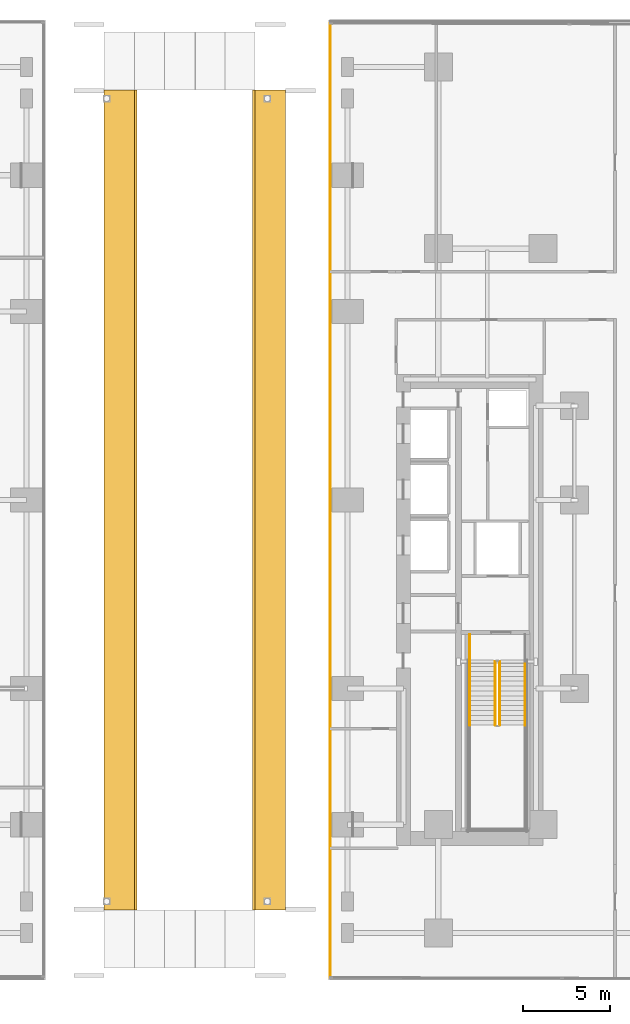
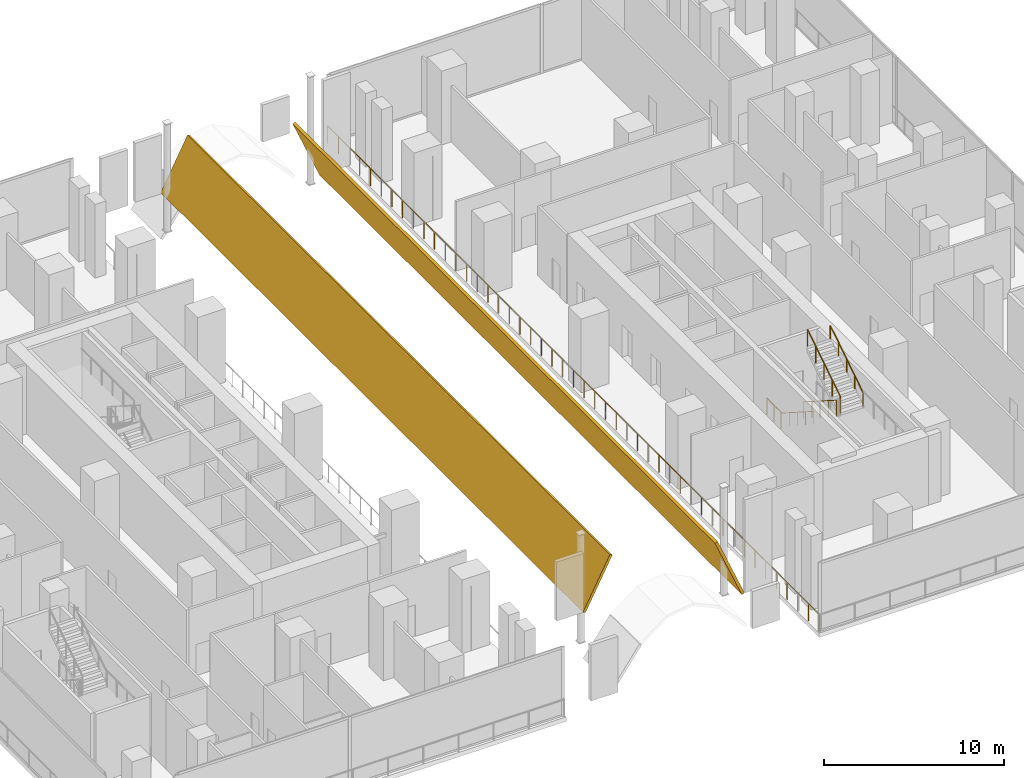
# One storey, part 26 of 31: 6 railings, 2 coverings.
"""IFC4 building model written with IfcOpenShell, lengths in metres."""

import ifcopenshell
import ifcopenshell.guid

model = None  # the IFC model being written
_history = None  # IfcOwnerHistory: only IFC2X3 demands one
_inside = {}  # id of a spatial element -> (the spatial element, [elements in it])
_under = {}  # id of a project, library or spatial element -> (it, [spatial elements below it])
_declared = {}  # id of a project -> (the project, [libraries it declares])
_typed = {}  # id of a type object -> (the type object, [elements of that type])
_made_of = {}  # id of a material, layer set ... -> (it, [elements and type objects made of it])


def new_model(schema):
    """Start an empty IFC model of exactly this schema.

    Asked for "IFC4X3", IfcOpenShell would pick the latest addendum, in which some entities
    have other attributes; the version numbers below select the first issue.
    IFC2X3 requires an IfcOwnerHistory on every rooted entity: one is made here for all.
    """
    global model, _history
    if schema == "IFC4X3":
        model = ifcopenshell.file(schema_version=(4, 3, 0, 0))
    else:
        model = ifcopenshell.file(schema=schema)
    _inside.clear()
    _under.clear()
    _declared.clear()
    _typed.clear()
    _made_of.clear()
    _history = None
    if model.schema == "IFC2X3":
        org = make("IfcOrganization", Name="unknown")
        user = make(
            "IfcPersonAndOrganization",
            ThePerson=make("IfcPerson", FamilyName="unknown"),
            TheOrganization=org,
        )
        app = make(
            "IfcApplication",
            ApplicationDeveloper=org,
            Version="unknown",
            ApplicationFullName="unknown",
            ApplicationIdentifier="unknown",
        )
        _history = make(
            "IfcOwnerHistory",
            OwningUser=user,
            OwningApplication=app,
            ChangeAction="ADDED",
            CreationDate=0,
        )
    return model


def make(cls, **values):
    """One entity of the class cls with the attributes given. An attribute that is None is left unset."""
    return model.create_entity(
        cls, **{name: value for name, value in values.items() if value is not None}
    )


def rooted(cls, **values):
    """An entity with a GlobalId (a new one), such as an element, a storey or a relation."""
    return make(cls, GlobalId=ifcopenshell.guid.new(), OwnerHistory=_history, **values)


def si_unit(unit_type, name, prefix=None):
    """IfcSIUnit, for example si_unit("LENGTHUNIT", "METRE", prefix="MILLI")."""
    return make("IfcSIUnit", UnitType=unit_type, Prefix=prefix, Name=name)


def assignment(units):
    """IfcUnitAssignment: the units of a project."""
    return None if units is None else make("IfcUnitAssignment", Units=units)


def point(xyz):
    """IfcCartesianPoint."""
    return None if xyz is None else make("IfcCartesianPoint", Coordinates=xyz)


def direction(xyz):
    """IfcDirection."""
    return None if xyz is None else make("IfcDirection", DirectionRatios=xyz)


def frame(location, z_axis=None, x_axis=None):
    """IfcAxis2Placement3D, a coordinate frame: its origin and axes. An axis left out is left unset."""
    return make(
        "IfcAxis2Placement3D",
        Location=point(location),
        Axis=direction(z_axis),
        RefDirection=direction(x_axis),
    )


def frame_2d(location, x_axis=None):
    """IfcAxis2Placement2D, a coordinate frame in the plane: its origin and x axis."""
    return make(
        "IfcAxis2Placement2D", Location=point(location), RefDirection=direction(x_axis)
    )


def origin():
    """The frame at (0, 0, 0) with its axes left unset."""
    return frame((0.0, 0.0, 0.0))


def origin_2d():
    """The frame at (0, 0) in the plane with its x axis left unset."""
    return frame_2d((0.0, 0.0))


def place(relative_to, where):
    """IfcLocalPlacement: puts the frame where relative to a parent placement (None: the world)."""
    return make(
        "IfcLocalPlacement", PlacementRelTo=relative_to, RelativePlacement=where
    )


def context(
    kind, dimensions, precision=None, world=None, true_north=None, identifier=None
):
    """IfcGeometricRepresentationContext, for example the 3D "Model" context."""
    return make(
        "IfcGeometricRepresentationContext",
        ContextIdentifier=identifier,
        ContextType=kind,
        CoordinateSpaceDimension=dimensions,
        Precision=precision,
        WorldCoordinateSystem=world,
        TrueNorth=true_north,
    )


def subcontext(parent, identifier, kind, view, scale=None):
    """IfcGeometricRepresentationSubContext, for example "Body" below "Model"."""
    return make(
        "IfcGeometricRepresentationSubContext",
        ContextIdentifier=identifier,
        ContextType=kind,
        ParentContext=parent,
        TargetScale=scale,
        TargetView=view,
    )


def project(units=None, contexts=None):
    """IfcProject with its units and contexts."""
    return rooted(
        "IfcProject",
        Name="project",
        RepresentationContexts=contexts,
        UnitsInContext=assignment(units),
    )


def spatial(cls, under=None, at=None, **own):
    """A site, building, storey or space (cls), placed at a placement, below another one or the project."""
    s = rooted(cls, ObjectPlacement=at, **own)
    if under is not None:
        _under.setdefault(under.id(), (under, []))[1].append(s)
    return s


def polyline(points):
    """IfcPolyline through the points."""
    return make("IfcPolyline", Points=[point(p) for p in points])


def profile(cls, at=None, kind="AREA", **sizes):
    """A parametric profile (cls). Its sizes go by their IFC names, for example OverallWidth=200.0."""
    return make(cls, ProfileType=kind, Position=at, **sizes)


def circle(**sizes):
    """IfcCircleProfileDef."""
    return profile("IfcCircleProfileDef", **sizes)


def outline(outer, holes=None, kind="AREA"):
    """IfcArbitraryClosedProfileDef: a profile drawn as a closed curve; with holes, ...WithVoids."""
    if holes is None:
        return make("IfcArbitraryClosedProfileDef", ProfileType=kind, OuterCurve=outer)
    return make(
        "IfcArbitraryProfileDefWithVoids",
        ProfileType=kind,
        OuterCurve=outer,
        InnerCurves=holes,
    )


def extrude(swept, where, along, depth):
    """IfcExtrudedAreaSolid: the profile swept, set in the frame where, extruded along a direction by depth."""
    return make(
        "IfcExtrudedAreaSolid",
        SweptArea=swept,
        Position=where,
        ExtrudedDirection=direction(along),
        Depth=depth,
    )


def shape(context_of_items, identifier, shape_type, items):
    """IfcShapeRepresentation: the items that make up one representation, for example the "Body"."""
    return make(
        "IfcShapeRepresentation",
        ContextOfItems=context_of_items,
        RepresentationIdentifier=identifier,
        RepresentationType=shape_type,
        Items=items,
    )


def material(Name=None, Category=None):
    """IfcMaterial."""
    return make("IfcMaterial", Name=Name, Category=Category)


def layer(
    of_material, thickness, ventilated=None, Name=None, Category=None, Priority=None
):
    """IfcMaterialLayer: one layer of a wall or slab, of a material (None: an air gap)."""
    return make(
        "IfcMaterialLayer",
        Material=of_material,
        LayerThickness=thickness,
        IsVentilated=ventilated,
        Name=Name,
        Category=Category,
        Priority=Priority,
    )


def layer_set(layers, Name=None):
    """IfcMaterialLayerSet."""
    return make("IfcMaterialLayerSet", MaterialLayers=layers, LayerSetName=Name)


def made_of(thing, what):
    """Note that an element or type object is made of a material, layer set ...; save() writes the relation."""
    if what is not None:
        _made_of.setdefault(what.id(), (what, []))[1].append(thing)
    return thing


def type_object(cls, material=None, **own):
    """A type object (cls), such as IfcWallType, which elements share."""
    return made_of(rooted(cls, **own), material)


def element(
    cls,
    number,
    at=None,
    inside=None,
    cuts=None,
    type_object=None,
    material=None,
    context=None,
    identifier="Body",
    shape_type=None,
    held_by="IfcProductDefinitionShape",
    body=None,
    shapes=None,
    **own,
):
    """One element of the class cls, such as IfcWall. Its Tag is "e" and its number.

    at: its placement. inside: the storey or other place that contains it. cuts: it is an
    opening in that element (IfcRelVoidsElement). A single representation is given by context,
    identifier, shape_type and body (its items); several are given by shapes. held_by: the class
    of the entity that holds the representations. save() writes the other relations.
    """
    e = rooted(cls, Tag="e%d" % number, ObjectPlacement=at, **own)
    if body is not None:
        shapes = [shape(context, identifier, shape_type, body)]
    if shapes is not None:
        e.Representation = make(held_by, Representations=shapes)
    if inside is not None:
        _inside.setdefault(inside.id(), (inside, []))[1].append(e)
    if cuts is not None:
        rooted(
            "IfcRelVoidsElement", RelatingBuildingElement=cuts, RelatedOpeningElement=e
        )
    if type_object is not None:
        _typed.setdefault(type_object.id(), (type_object, []))[1].append(e)
    return made_of(e, material)


def aggregate(whole, parts):
    """IfcRelAggregates: a whole, such as a stair, and the parts it consists of."""
    return rooted("IfcRelAggregates", RelatingObject=whole, RelatedObjects=parts)


def save(model, path):
    """Write the relations noted so far, then the file.

    IfcRelAggregates (storeys below a building ...), IfcRelContainedInSpatialStructure (elements
    in a storey), IfcRelDefinesByType, IfcRelAssociatesMaterial and IfcRelDeclares: one each for
    every whole, place, type object, material and project.
    """
    for whole, parts in _under.values():
        aggregate(whole, parts)
    for where, things in _inside.values():
        rooted(
            "IfcRelContainedInSpatialStructure",
            RelatedElements=things,
            RelatingStructure=where,
        )
    for kind, things in _typed.values():
        rooted("IfcRelDefinesByType", RelatedObjects=things, RelatingType=kind)
    for what, things in _made_of.values():
        rooted("IfcRelAssociatesMaterial", RelatedObjects=things, RelatingMaterial=what)
    for by, libraries in _declared.values():
        rooted("IfcRelDeclares", RelatingContext=by, RelatedDefinitions=libraries)
    model.write(path)


model = new_model("IFC4")

# Units and contexts
model_context = context("Model", 3, precision=1e-05, world=origin(), true_north=direction((0.0, 1.0)))
body_context = subcontext(model_context, "Body", "Model", "MODEL_VIEW")
ifc_project = project(units=[si_unit("LENGTHUNIT", "METRE"), si_unit("AREAUNIT", "SQUARE_METRE"), si_unit("VOLUMEUNIT", "CUBIC_METRE"), si_unit("PLANEANGLEUNIT", "RADIAN"), si_unit("MASSUNIT", "GRAM", prefix="KILO")], contexts=[model_context])

# Site, building, storey
site_placement = place(None, origin())
site = spatial("IfcSite", under=ifc_project, at=site_placement, CompositionType="ELEMENT")
building_placement = place(site_placement, origin())
building = spatial("IfcBuilding", under=site, at=building_placement, Name="Khairoan Windgate Tower", CompositionType="ELEMENT")
storey_placement = place(building_placement, frame((0.0, 0.0, 11.0)))
storey = spatial("IfcBuildingStorey", under=building, at=storey_placement, Name="L03", CompositionType="ELEMENT", Elevation=11.0)

# Railing
ifc_material_1 = material(Name="Anodised Bronze Aluminium 6063-T6", Category="aluminium")
railing_type_1 = type_object("IfcRailingType", Name="Aerodynamic Bronze-and-Glass Balustrade BAL-1200", PredefinedType="BALUSTRADE", material=ifc_material_1)
railing_1_placement = place(storey_placement, frame((8.199951171875, -27.356689453125, 0.0)))
element("IfcRailing", 1, at=railing_1_placement, inside=storey, type_object=railing_type_1, Name="L03 Arch Void Edge Guardrail 2", PredefinedType="BALUSTRADE", context=body_context, shape_type="SweptSolid", body=[
    extrude(circle(Radius=0.02392578125, at=origin_2d()), frame((0.0, 0.0, 1.17578125), z_axis=(0.0, 1.0, 0.0), x_axis=(-1.0, 0.0, 0.0)), (0.0, 0.0, 1.0), 54.661865234375),
    extrude(circle(Radius=0.02099609375, at=origin_2d()), origin(), (0.0, 0.0, 1.0), 1.15185546875),
    extrude(circle(Radius=0.02099609375, at=origin_2d()), frame((0.0, 1.188232421875, 0.0)), (0.0, 0.0, 1.0), 1.15185546875),
    extrude(circle(Radius=0.02099609375, at=origin_2d()), frame((0.0, 2.376708984375, 0.0)), (0.0, 0.0, 1.0), 1.15185546875),
    extrude(circle(Radius=0.02099609375, at=origin_2d()), frame((0.0, 3.56494140625, 0.0)), (0.0, 0.0, 1.0), 1.15185546875),
    extrude(circle(Radius=0.02099609375, at=origin_2d()), frame((0.0, 4.753173828125, 0.0)), (0.0, 0.0, 1.0), 1.15185546875),
    extrude(circle(Radius=0.02099609375, at=origin_2d()), frame((0.0, 5.94140625, 0.0)), (0.0, 0.0, 1.0), 1.15185546875),
    extrude(circle(Radius=0.02099609375, at=origin_2d()), frame((0.0, 7.1298828125, 0.0)), (0.0, 0.0, 1.0), 1.15185546875),
    extrude(circle(Radius=0.02099609375, at=origin_2d()), frame((0.0, 8.318115234375, 0.0)), (0.0, 0.0, 1.0), 1.15185546875),
    extrude(circle(Radius=0.02099609375, at=origin_2d()), frame((0.0, 9.50634765625, 0.0)), (0.0, 0.0, 1.0), 1.15185546875),
    extrude(circle(Radius=0.02099609375, at=origin_2d()), frame((0.0, 10.69482421875, 0.0)), (0.0, 0.0, 1.0), 1.15185546875),
    extrude(circle(Radius=0.02099609375, at=origin_2d()), frame((0.0, 11.883056640625, 0.0)), (0.0, 0.0, 1.0), 1.15185546875),
    extrude(circle(Radius=0.02099609375, at=origin_2d()), frame((0.0, 13.0712890625, 0.0)), (0.0, 0.0, 1.0), 1.15185546875),
    extrude(circle(Radius=0.02099609375, at=origin_2d()), frame((0.0, 14.259521484375, 0.0)), (0.0, 0.0, 1.0), 1.15185546875),
    extrude(circle(Radius=0.02099609375, at=origin_2d()), frame((0.0, 15.447998046875, 0.0)), (0.0, 0.0, 1.0), 1.15185546875),
    extrude(circle(Radius=0.02099609375, at=origin_2d()), frame((0.0, 16.63623046875, 0.0)), (0.0, 0.0, 1.0), 1.15185546875),
    extrude(circle(Radius=0.02099609375, at=origin_2d()), frame((0.0, 17.824462890625, 0.0)), (0.0, 0.0, 1.0), 1.15185546875),
    extrude(circle(Radius=0.02099609375, at=origin_2d()), frame((0.0, 19.012939453125, 0.0)), (0.0, 0.0, 1.0), 1.15185546875),
    extrude(circle(Radius=0.02099609375, at=origin_2d()), frame((0.0, 20.201171875, 0.0)), (0.0, 0.0, 1.0), 1.15185546875),
    extrude(circle(Radius=0.02099609375, at=origin_2d()), frame((0.0, 21.389404296875, 0.0)), (0.0, 0.0, 1.0), 1.15185546875),
    extrude(circle(Radius=0.02099609375, at=origin_2d()), frame((0.0, 22.57763671875, 0.0)), (0.0, 0.0, 1.0), 1.15185546875),
    extrude(circle(Radius=0.02099609375, at=origin_2d()), frame((0.0, 23.76611328125, 0.0)), (0.0, 0.0, 1.0), 1.15185546875),
    extrude(circle(Radius=0.02099609375, at=origin_2d()), frame((0.0, 24.954345703125, 0.0)), (0.0, 0.0, 1.0), 1.15185546875),
    extrude(circle(Radius=0.02099609375, at=origin_2d()), frame((0.0, 26.142578125, 0.0)), (0.0, 0.0, 1.0), 1.15185546875),
    extrude(circle(Radius=0.02099609375, at=origin_2d()), frame((0.0, 27.3310546875, 0.0)), (0.0, 0.0, 1.0), 1.15185546875),
    extrude(circle(Radius=0.02099609375, at=origin_2d()), frame((0.0, 28.519287109375, 0.0)), (0.0, 0.0, 1.0), 1.15185546875),
    extrude(circle(Radius=0.02099609375, at=origin_2d()), frame((0.0, 29.70751953125, 0.0)), (0.0, 0.0, 1.0), 1.15185546875),
    extrude(circle(Radius=0.02099609375, at=origin_2d()), frame((0.0, 30.895751953125, 0.0)), (0.0, 0.0, 1.0), 1.15185546875),
    extrude(circle(Radius=0.02099609375, at=origin_2d()), frame((0.0, 32.084228515625, 0.0)), (0.0, 0.0, 1.0), 1.15185546875),
    extrude(circle(Radius=0.02099609375, at=origin_2d()), frame((0.0, 33.2724609375, 0.0)), (0.0, 0.0, 1.0), 1.15185546875),
    extrude(circle(Radius=0.02099609375, at=origin_2d()), frame((0.0, 34.460693359375, 0.0)), (0.0, 0.0, 1.0), 1.15185546875),
    extrude(circle(Radius=0.02099609375, at=origin_2d()), frame((0.0, 35.64892578125, 0.0)), (0.0, 0.0, 1.0), 1.15185546875),
    extrude(circle(Radius=0.02099609375, at=origin_2d()), frame((0.0, 36.83740234375, 0.0)), (0.0, 0.0, 1.0), 1.15185546875),
    extrude(circle(Radius=0.02099609375, at=origin_2d()), frame((0.0, 38.025634765625, 0.0)), (0.0, 0.0, 1.0), 1.15185546875),
    extrude(circle(Radius=0.02099609375, at=origin_2d()), frame((0.0, 39.2138671875, 0.0)), (0.0, 0.0, 1.0), 1.15185546875),
    extrude(circle(Radius=0.02099609375, at=origin_2d()), frame((0.0, 40.40234375, 0.0)), (0.0, 0.0, 1.0), 1.15185546875),
    extrude(circle(Radius=0.02099609375, at=origin_2d()), frame((0.0, 41.590576171875, 0.0)), (0.0, 0.0, 1.0), 1.15185546875),
    extrude(circle(Radius=0.02099609375, at=origin_2d()), frame((0.0, 42.77880859375, 0.0)), (0.0, 0.0, 1.0), 1.15185546875),
    extrude(circle(Radius=0.02099609375, at=origin_2d()), frame((0.0, 43.967041015625, 0.0)), (0.0, 0.0, 1.0), 1.15185546875),
    extrude(circle(Radius=0.02099609375, at=origin_2d()), frame((0.0, 45.155517578125, 0.0)), (0.0, 0.0, 1.0), 1.15185546875),
    extrude(circle(Radius=0.02099609375, at=origin_2d()), frame((0.0, 46.34375, 0.0)), (0.0, 0.0, 1.0), 1.15185546875),
    extrude(circle(Radius=0.02099609375, at=origin_2d()), frame((0.0, 47.531982421875, 0.0)), (0.0, 0.0, 1.0), 1.15185546875),
    extrude(circle(Radius=0.02099609375, at=origin_2d()), frame((0.0, 48.720458984375, 0.0)), (0.0, 0.0, 1.0), 1.15185546875),
    extrude(circle(Radius=0.02099609375, at=origin_2d()), frame((0.0, 49.90869140625, 0.0)), (0.0, 0.0, 1.0), 1.15185546875),
    extrude(circle(Radius=0.02099609375, at=origin_2d()), frame((0.0, 51.096923828125, 0.0)), (0.0, 0.0, 1.0), 1.15185546875),
    extrude(circle(Radius=0.02099609375, at=origin_2d()), frame((0.0, 52.28515625, 0.0)), (0.0, 0.0, 1.0), 1.15185546875),
    extrude(circle(Radius=0.02099609375, at=origin_2d()), frame((0.0, 53.4736328125, 0.0)), (0.0, 0.0, 1.0), 1.15185546875),
    extrude(circle(Radius=0.02099609375, at=origin_2d()), frame((0.0, 54.661865234375, 0.0)), (0.0, 0.0, 1.0), 1.15185546875),
])

# Coverings
ifc_material_2 = material(Name="Anodised Bronze Aluminium 6063-T6", Category="aluminium")
ifc_layer = layer(ifc_material_2, 0.179931640625, Name="Anodised Bronze Aluminium 6063-T6")
ifc_layer_set = layer_set([ifc_layer], Name="Anodised Bronze Aluminium 6063-T6")
covering_type = type_object("IfcCoveringType", Name="Sculpted Parabolic Arch and Crown Cladding", PredefinedType="CLADDING", material=ifc_layer_set)
covering_1_placement = place(storey_placement, frame((-4.739990234375, -23.5, 3.486572265625), z_axis=(-0.886814980884, 0.0, 0.462124647341), x_axis=(0.462124647341, 0.0, 0.886814980884)))
element("IfcCovering", 2, at=covering_1_placement, inside=storey, type_object=covering_type, Name="Monumental Podium Parabolic Arch Barrel-Vault Cladding 03", PredefinedType="CLADDING", context=body_context, shape_type="SweptSolid", body=[
    extrude(outline(polyline([(0.0, 0.0), (3.74353646511631, 0.0), (3.74353646511631, 47.0), (0.0, 47.0), (0.0, 0.0)])), origin(), (0.0, 0.0, -1.0), 0.179931640625),
])
covering_2_placement = place(storey_placement, frame((3.909912109375, -23.5, 5.264404296875), z_axis=(0.92103626953, 0.0, 0.389476816011), x_axis=(0.389476816011, 0.0, -0.92103626953)))
element("IfcCovering", 3, at=covering_2_placement, inside=storey, type_object=covering_type, Name="Monumental Podium Parabolic Arch Barrel-Vault Cladding 08", PredefinedType="CLADDING", context=body_context, shape_type="SweptSolid", body=[
    extrude(outline(polyline([(0.0, 0.0), (4.44180602704344, 0.0), (4.44180602704344, 47.0), (0.0, 47.0), (0.0, 0.0)])), origin(), (0.0, 0.0, -1.0), 0.179931640625),
])

# Railings
ifc_material_3 = material(Name="Anodised Bronze Aluminium 6063-T6", Category="aluminium")
railing_type_2 = type_object("IfcRailingType", Name="Stair Wall Handrail SHR-900", PredefinedType="HANDRAIL", material=ifc_material_3)
railing_2_placement = place(storey_placement, frame((16.199951171875, -9.260009765625, 0.178466796875)))
element("IfcRailing", 4, at=railing_2_placement, inside=storey, type_object=railing_type_2, Name="L03 ST1 stair handrail 1", PredefinedType="HANDRAIL", context=body_context, shape_type="SweptSolid", body=[
    extrude(circle(Radius=0.02392578125, at=origin_2d()), frame((0.0, 0.0, 0.8759765625), z_axis=(0.0, -0.843111507901, 0.53773877045), x_axis=(1.0, 0.0, 0.0)), (0.0, 0.0, 1.0), 4.317138671875),
    extrude(circle(Radius=0.02099609375, at=origin_2d()), origin(), (0.0, 0.0, 1.0), 0.851806640625),
    extrude(circle(Radius=0.02099609375, at=origin_2d()), frame((0.0, -0.909912109375, 0.580322265625)), (0.0, 0.0, 1.0), 0.851806640625),
    extrude(circle(Radius=0.02099609375, at=origin_2d()), frame((0.0, -1.81982421875, 1.16064453125)), (0.0, 0.0, 1.0), 0.851806640625),
    extrude(circle(Radius=0.02099609375, at=origin_2d()), frame((0.0, -2.72998046875, 1.7412109375)), (0.0, 0.0, 1.0), 0.851806640625),
    extrude(circle(Radius=0.02099609375, at=origin_2d()), frame((0.0, -3.639892578125, 2.321533203125)), (0.0, 0.0, 1.0), 0.851806640625),
])
railing_3_placement = place(storey_placement, frame((19.3701171875, -12.89990234375, 2.678466796875)))
element("IfcRailing", 5, at=railing_3_placement, inside=storey, type_object=railing_type_2, Name="L03 ST1 stair handrail 2", PredefinedType="HANDRAIL", context=body_context, shape_type="SweptSolid", body=[
    extrude(circle(Radius=0.02392578125, at=origin_2d()), frame((0.0, 0.0, 0.8759765625), z_axis=(0.0, 0.843111507901, 0.53773877045), x_axis=(-1.0, 0.0, 0.0)), (0.0, 0.0, 1.0), 4.317138671875),
    extrude(circle(Radius=0.02099609375, at=origin_2d()), origin(), (0.0, 0.0, 1.0), 0.851806640625),
    extrude(circle(Radius=0.02099609375, at=origin_2d()), frame((0.0, 0.909912109375, 0.580322265625)), (0.0, 0.0, 1.0), 0.851806640625),
    extrude(circle(Radius=0.02099609375, at=origin_2d()), frame((0.0, 1.81982421875, 1.16064453125)), (0.0, 0.0, 1.0), 0.851806640625),
    extrude(circle(Radius=0.02099609375, at=origin_2d()), frame((0.0, 2.72998046875, 1.7412109375)), (0.0, 0.0, 1.0), 0.851806640625),
    extrude(circle(Radius=0.02099609375, at=origin_2d()), frame((0.0, 3.639892578125, 2.321533203125)), (0.0, 0.0, 1.0), 0.851806640625),
])
ifc_material_4 = material(Name="Steel S355", Category="steel")
railing_type_3 = type_object("IfcRailingType", Name="Stairwell Safety Guardrail SGR-1150", PredefinedType="GUARDRAIL", material=ifc_material_4)
railing_4_placement = place(storey_placement, frame((17.659912109375, -9.260009765625, 0.178466796875)))
element("IfcRailing", 6, at=railing_4_placement, inside=storey, type_object=railing_type_3, Name="L03 ST1 stair guard 1", PredefinedType="GUARDRAIL", context=body_context, shape_type="SweptSolid", body=[
    extrude(circle(Radius=0.02392578125, at=origin_2d()), frame((0.0, 0.0, 1.1259765625), z_axis=(0.0, -0.843111507901, 0.53773877045), x_axis=(1.0, 0.0, 0.0)), (0.0, 0.0, 1.0), 4.317138671875),
    extrude(circle(Radius=0.02099609375, at=origin_2d()), origin(), (0.0, 0.0, 1.0), 1.101806640625),
    extrude(circle(Radius=0.02099609375, at=origin_2d()), frame((0.0, -0.909912109375, 0.580322265625)), (0.0, 0.0, 1.0), 1.101806640625),
    extrude(circle(Radius=0.02099609375, at=origin_2d()), frame((0.0, -1.81982421875, 1.16064453125)), (0.0, 0.0, 1.0), 1.101806640625),
    extrude(circle(Radius=0.02099609375, at=origin_2d()), frame((0.0, -2.72998046875, 1.7412109375)), (0.0, 0.0, 1.0), 1.101806640625),
    extrude(circle(Radius=0.02099609375, at=origin_2d()), frame((0.0, -3.639892578125, 2.321533203125)), (0.0, 0.0, 1.0), 1.101806640625),
])
railing_5_placement = place(storey_placement, frame((17.909912109375, -12.89990234375, 2.678466796875)))
element("IfcRailing", 7, at=railing_5_placement, inside=storey, type_object=railing_type_3, Name="L03 ST1 stair guard 6", PredefinedType="GUARDRAIL", context=body_context, shape_type="SweptSolid", body=[
    extrude(circle(Radius=0.02392578125, at=origin_2d()), frame((0.0, 0.0, 1.1259765625), z_axis=(0.0, 0.843111507901, 0.53773877045), x_axis=(-1.0, 0.0, 0.0)), (0.0, 0.0, 1.0), 4.317138671875),
    extrude(circle(Radius=0.02099609375, at=origin_2d()), origin(), (0.0, 0.0, 1.0), 1.101806640625),
    extrude(circle(Radius=0.02099609375, at=origin_2d()), frame((0.0, 0.909912109375, 0.580322265625)), (0.0, 0.0, 1.0), 1.101806640625),
    extrude(circle(Radius=0.02099609375, at=origin_2d()), frame((0.0, 1.81982421875, 1.16064453125)), (0.0, 0.0, 1.0), 1.101806640625),
    extrude(circle(Radius=0.02099609375, at=origin_2d()), frame((0.0, 2.72998046875, 1.7412109375)), (0.0, 0.0, 1.0), 1.101806640625),
    extrude(circle(Radius=0.02099609375, at=origin_2d()), frame((0.0, 3.639892578125, 2.321533203125)), (0.0, 0.0, 1.0), 1.101806640625),
])
railing_6_placement = place(storey_placement, frame((16.199951171875, -7.699951171875, 0.0)))
element("IfcRailing", 8, at=railing_6_placement, inside=storey, type_object=railing_type_3, Name="L03 ST1 stair guard 8", PredefinedType="GUARDRAIL", context=body_context, shape_type="SweptSolid", body=[
    extrude(circle(Radius=0.02392578125, at=origin_2d()), frame((0.0, 0.0, 1.1259765625), z_axis=(0.0, -1.0, 0.0), x_axis=(1.0, 0.0, 0.0)), (0.0, 0.0, 1.0), 1.56005859375),
    extrude(circle(Radius=0.02099609375, at=origin_2d()), origin(), (0.0, 0.0, 1.0), 1.101806640625),
    extrude(circle(Radius=0.02099609375, at=origin_2d()), frame((0.0, -0.780029296875, 0.0)), (0.0, 0.0, 1.0), 1.101806640625),
    extrude(circle(Radius=0.02099609375, at=origin_2d()), frame((0.0, -1.56005859375, 0.0)), (0.0, 0.0, 1.0), 1.101806640625),
])

save(model, "model.ifc")
